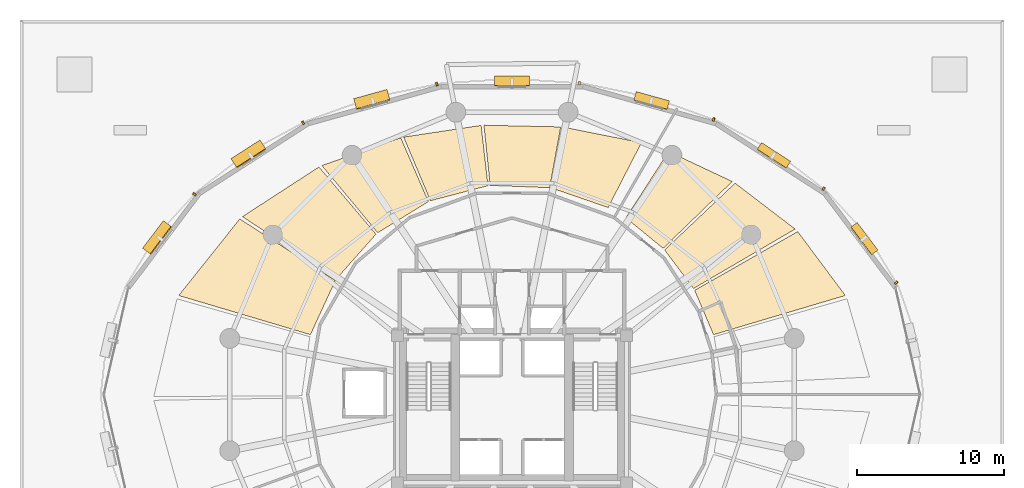
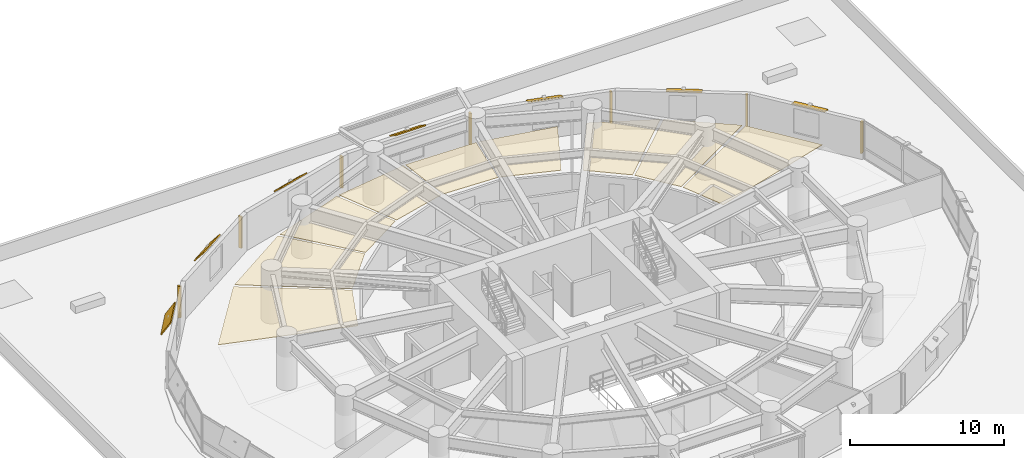
# One storey, part 15 of 15: 14 shading devices, 9 coverings.
"""IFC4 building model written with IfcOpenShell, lengths in metres."""

from ifc_helpers import new_model, si_unit, direction, frame, origin, origin_2d, place, context, subcontext, project, spatial, polyline, rectangle, outline, extrude, material, layer, layer_set, type_object, element, save


model = new_model("IFC4")

# Units and contexts
model_context = context("Model", 3, precision=1e-05, world=origin(), true_north=direction((0.0, 1.0)))
body_context = subcontext(model_context, "Body", "Model", "MODEL_VIEW")
ifc_project = project(units=[si_unit("LENGTHUNIT", "METRE"), si_unit("AREAUNIT", "SQUARE_METRE"), si_unit("VOLUMEUNIT", "CUBIC_METRE"), si_unit("PLANEANGLEUNIT", "RADIAN"), si_unit("MASSUNIT", "GRAM", prefix="KILO"), si_unit("THERMODYNAMICTEMPERATUREUNIT", "KELVIN"), si_unit("POWERUNIT", "WATT")], contexts=[model_context])

# Site, building, storey
site_placement = place(None, origin())
site = spatial("IfcSite", under=ifc_project, at=site_placement, CompositionType="ELEMENT")
building_placement = place(site_placement, origin())
building = spatial("IfcBuilding", under=site, at=building_placement, Name="Ocrelia Relay Tower", CompositionType="ELEMENT")
storey_placement = place(building_placement, frame((0.0, 0.0, 30.0)))
storey = spatial("IfcBuildingStorey", under=building, at=storey_placement, Name="L06", CompositionType="ELEMENT", Elevation=30.0)

# Coverings
ifc_material_1 = material(Name="Mineral-fiber acoustic ceiling tile", Category="gypsum")
ifc_layer_1 = layer(ifc_material_1, 0.0400390625, Name="Mineral-fiber acoustic ceiling tile")
ifc_layer_set_1 = layer_set([ifc_layer_1], Name="Mineral-fiber acoustic ceiling tile")
covering_type_1 = type_object("IfcCoveringType", Name="COV-CEIL-ACOUSTIC", PredefinedType="CEILING", material=ifc_layer_set_1)
covering_1_placement = place(storey_placement, frame((0.0, 0.0, 2.590087890625)))
element("IfcCovering", 1, at=covering_1_placement, inside=storey, type_object=covering_type_1, Name="L06 Operations Control Office Suspended Ceiling 2", PredefinedType="CEILING", context=body_context, shape_type="SweptSolid", body=[
    extrude(outline(polyline([(47.726806640625, 30.0791015625), (56.700927734375, 32.745849609375), (53.460205078125, 37.099853515625), (46.438720703125, 33.094970703125), (47.726806640625, 30.0791015625)])), origin(), (0.0, 0.0, 1.0), 0.039794921875),
])
covering_2_placement = place(storey_placement, frame((0.0, 0.0, 2.590087890625)))
element("IfcCovering", 2, at=covering_2_placement, inside=storey, type_object=covering_type_1, Name="L06 Operations Control Office Suspended Ceiling 3", PredefinedType="CEILING", context=body_context, shape_type="SweptSolid", body=[
    extrude(outline(polyline([(46.36376953125, 33.224853515625), (53.287109375, 37.2705078125), (49.196533203125, 40.395751953125), (44.39599609375, 35.84814453125), (46.36376953125, 33.224853515625)])), origin(), (0.0, 0.0, 1.0), 0.039794921875),
])
covering_3_placement = place(storey_placement, frame((0.0, 0.0, 2.590087890625)))
element("IfcCovering", 3, at=covering_3_placement, inside=storey, type_object=covering_type_1, Name="L06 Operations Control Office Suspended Ceiling 4", PredefinedType="CEILING", context=body_context, shape_type="SweptSolid", body=[
    extrude(outline(polyline([(44.292236328125, 35.95654296875), (49.001220703125, 40.51171875), (44.665283203125, 42.54931640625), (41.75732421875, 38.036865234375), (44.292236328125, 35.95654296875)])), origin(), (0.0, 0.0, 1.0), 0.039794921875),
])
ifc_material_2 = material(Name="Cleanroom metal-pan acoustic ceiling", Category="aluminium")
ifc_layer_2 = layer(ifc_material_2, 0.0400390625, Name="Cleanroom metal-pan acoustic ceiling")
ifc_layer_set_2 = layer_set([ifc_layer_2], Name="Cleanroom metal-pan acoustic ceiling")
covering_type_2 = type_object("IfcCoveringType", Name="COV-CEIL-CLEAN", PredefinedType="CEILING", material=ifc_layer_set_2)
covering_4_placement = place(storey_placement, frame((0.0, 0.0, 2.590087890625)))
element("IfcCovering", 4, at=covering_4_placement, inside=storey, type_object=covering_type_2, Name="L06 Colocation Data Hall A Suspended Ceiling 1", PredefinedType="CEILING", context=body_context, shape_type="SweptSolid", body=[
    extrude(outline(polyline([(40.545654296875, 38.736328125), (42.8173828125, 43.156494140625), (37.5146484375, 44.2080078125), (36.714111328125, 40.060546875), (40.545654296875, 38.736328125)])), origin(), (0.0, 0.0, 1.0), 0.039794921875),
])
covering_5_placement = place(storey_placement, frame((0.0, 0.0, 2.590087890625)))
element("IfcCovering", 5, at=covering_5_placement, inside=storey, type_object=covering_type_2, Name="L06 Colocation Data Hall A Suspended Ceiling 2", PredefinedType="CEILING", context=body_context, shape_type="SweptSolid", body=[
    extrude(outline(polyline([(36.566650390625, 40.088134765625), (37.32080078125, 44.228759765625), (32.088134765625, 44.343505859375), (32.515625, 40.242919921875), (36.566650390625, 40.088134765625)])), origin(), (0.0, 0.0, 1.0), 0.039794921875),
])
covering_6_placement = place(storey_placement, frame((0.0, 0.0, 2.590087890625)))
element("IfcCovering", 6, at=covering_6_placement, inside=storey, type_object=covering_type_2, Name="L06 Colocation Data Hall A Suspended Ceiling 3", PredefinedType="CEILING", context=body_context, shape_type="SweptSolid", body=[
    extrude(outline(polyline([(32.366455078125, 40.2265625), (31.895263671875, 44.331298828125), (26.61865234375, 43.537841796875), (28.445068359375, 39.19873046875), (32.366455078125, 40.2265625)])), origin(), (0.0, 0.0, 1.0), 0.039794921875),
])
covering_7_placement = place(storey_placement, frame((0.0, 0.0, 2.590087890625)))
element("IfcCovering", 7, at=covering_7_placement, inside=storey, type_object=covering_type_2, Name="L06 Colocation Data Hall A Suspended Ceiling 4", PredefinedType="CEILING", context=body_context, shape_type="SweptSolid", body=[
    extrude(outline(polyline([(28.30712890625, 39.139892578125), (26.42236328125, 43.490234375), (21.05224609375, 41.595703125), (24.852783203125, 37.017822265625), (28.30712890625, 39.139892578125)])), origin(), (0.0, 0.0, 1.0), 0.039794921875),
])
covering_8_placement = place(storey_placement, frame((0.0, 0.0, 2.590087890625)))
element("IfcCovering", 8, at=covering_8_placement, inside=storey, type_object=covering_type_2, Name="L06 Colocation Data Hall A Suspended Ceiling 5", PredefinedType="CEILING", context=body_context, shape_type="SweptSolid", body=[
    extrude(outline(polyline([(24.738037109375, 36.92138671875), (20.85400390625, 41.501220703125), (15.63916015625, 38.1181640625), (22.04833984375, 33.88818359375), (24.738037109375, 36.92138671875)])), origin(), (0.0, 0.0, 1.0), 0.039794921875),
])
covering_9_placement = place(storey_placement, frame((0.0, 0.0, 2.590087890625)))
element("IfcCovering", 9, at=covering_9_placement, inside=storey, type_object=covering_type_2, Name="L06 Colocation Data Hall A Suspended Ceiling 6", PredefinedType="CEILING", context=body_context, shape_type="SweptSolid", body=[
    extrude(outline(polyline([(21.966552734375, 33.762451171875), (15.45849609375, 37.960693359375), (11.299072265625, 32.745849609375), (20.273193359375, 30.0791015625), (21.966552734375, 33.762451171875)])), origin(), (0.0, 0.0, 1.0), 0.039794921875),
])

# Shading devices
ifc_material_3 = material(Name="Extruded oxide terracotta vertical baguette", Category="masonry")
shading_device_type_1 = type_object("IfcShadingDeviceType", Name="SH-TERR-BAGUETTE", PredefinedType="USERDEFINED", material=ifc_material_3)
for number, where, z_axis, x_axis, name in (
    (10, (60.162841796875, 33.614990234375, 0.25), (0.0, 0.0, 1.0), (-0.601809563303, 0.79863962431, 0.0), "L06 Oxide Terracotta Vertical Baguette 02"),
    (11, (55.218505859375, 40.0146484375, 0.25), (0.0, 0.0, 1.0), (-0.841161476755, 0.5407840327, 0.0), "L06 Oxide Terracotta Vertical Baguette 03"),
    (12, (47.730712890625, 44.732421875, 0.25), (0.0, 0.0, 1.0), (-0.963245444504, 0.268622809238, 0.0), "L06 Oxide Terracotta Vertical Baguette 04"),
    (13, (38.58740234375, 47.206298828125, 0.25), (0.0, 0.0, 1.0), (-1.0, 0.0, 0.0), "L06 Oxide Terracotta Vertical Baguette 05"),
    (14, (28.879638671875, 47.133544921875, 0.25), (0.0, 0.0, 1.0), (-0.963245444504, -0.268622809238, 0.0), "L06 Oxide Terracotta Vertical Baguette 06"),
    (15, (19.773681640625, 44.510009765625, 0.25), (0.0, 0.0, 1.0), (-0.841161476755, -0.5407840327, 0.0), "L06 Oxide Terracotta Vertical Baguette 07"),
    (16, (12.3759765625, 39.63818359375, 0.25), (0.0, 0.0, 1.0), (-0.601809563303, -0.79863962431, 0.0), "L06 Oxide Terracotta Vertical Baguette 08"),
):
    element("IfcShadingDevice", number, at=place(storey_placement, frame(where, z_axis=z_axis, x_axis=x_axis)), inside=storey, type_object=shading_device_type_1, Name=name, ObjectType="BAGUETTE", PredefinedType="USERDEFINED", context=body_context, shape_type="SweptSolid", body=[
        extrude(rectangle(XDim=0.139892578125, YDim=0.239990234375, at=origin_2d()), origin(), (0.0, 0.0, 1.0), 2.5),
    ])
ifc_material_4 = material(Name="Extruded oxide terracotta fin", Category="masonry")
ifc_layer_3 = layer(ifc_material_4, 0.080078125, Name="Extruded oxide terracotta fin")
ifc_layer_set_3 = layer_set([ifc_layer_3], Name="Extruded oxide terracotta fin")
shading_device_type_2 = type_object("IfcShadingDeviceType", Name="SH-VISOR-FIN-DEEP", PredefinedType="USERDEFINED", material=ifc_layer_set_3)
shading_device_1_placement = place(storey_placement, frame((9.8603515625, 36.669677734375, 2.81884765625), z_axis=(-0.675729104954, 0.50919116105, 0.533023956522), x_axis=(-0.601809563303, -0.79863962431, 0.0)))
element("IfcShadingDevice", 17, at=shading_device_1_placement, inside=storey, type_object=shading_device_type_2, Name="L06 Canted Terracotta Sun-Visor Fin 08", ObjectType="FIN", PredefinedType="USERDEFINED", context=body_context, shape_type="SweptSolid", body=[
    extrude(rectangle(XDim=2.35009765625, YDim=1.212890625, at=origin_2d()), origin(), (0.0, 0.0, 1.0), 0.080078125),
])
ifc_layer_4 = layer(ifc_material_4, 0.080078125, Name="Extruded oxide terracotta fin")
ifc_layer_set_4 = layer_set([ifc_layer_4], Name="Extruded oxide terracotta fin")
shading_device_type_3 = type_object("IfcShadingDeviceType", Name="SH-VISOR-FIN-MED", PredefinedType="USERDEFINED", material=ifc_layer_set_4)
shading_device_2_placement = place(storey_placement, frame((34.0, 47.333740234375, 2.80615234375), z_axis=(0.0, 0.527845511945, 0.849340400263), x_axis=(-1.0, 0.0, 0.0)))
element("IfcShadingDevice", 18, at=shading_device_2_placement, inside=storey, type_object=shading_device_type_3, Name="L06 Canted Terracotta Sun-Visor Fin 05", ObjectType="FIN", PredefinedType="USERDEFINED", context=body_context, shape_type="SweptSolid", body=[
    extrude(rectangle(XDim=2.35009765625, YDim=0.781005859375, at=origin_2d()), origin(), (0.0, 0.0, 1.0), 0.080078125),
])
shading_device_3_placement = place(storey_placement, frame((24.46044921875, 46.071044921875, 2.810302734375), z_axis=(-0.180335252405, 0.646658081107, 0.741156206801), x_axis=(-0.963245444504, -0.268622809238, 0.0)))
element("IfcShadingDevice", 19, at=shading_device_3_placement, inside=storey, type_object=shading_device_type_3, Name="L06 Canted Terracotta Sun-Visor Fin 06", ObjectType="FIN", PredefinedType="USERDEFINED", context=body_context, shape_type="SweptSolid", body=[
    extrude(rectangle(XDim=2.35009765625, YDim=0.952880859375, at=origin_2d()), origin(), (0.0, 0.0, 1.0), 0.080078125),
])
shading_device_4_placement = place(storey_placement, frame((16.072509765625, 42.35888671875, 2.81494140625), z_axis=(-0.421571785357, 0.65573301741, 0.626331732926), x_axis=(-0.841161476755, -0.5407840327, 0.0)))
element("IfcShadingDevice", 20, at=shading_device_4_placement, inside=storey, type_object=shading_device_type_3, Name="L06 Canted Terracotta Sun-Visor Fin 07", ObjectType="FIN", PredefinedType="USERDEFINED", context=body_context, shape_type="SweptSolid", body=[
    extrude(rectangle(XDim=2.35009765625, YDim=1.10400390625, at=origin_2d()), origin(), (0.0, 0.0, 1.0), 0.080078125),
])
ifc_layer_5 = layer(ifc_material_4, 0.080078125, Name="Extruded oxide terracotta fin")
ifc_layer_set_5 = layer_set([ifc_layer_5], Name="Extruded oxide terracotta fin")
shading_device_type_4 = type_object("IfcShadingDeviceType", Name="SH-VISOR-FIN-SHAL", PredefinedType="USERDEFINED", material=ifc_layer_set_5)
shading_device_5_placement = place(storey_placement, frame((57.987060546875, 36.60791015625, 2.802001953125), z_axis=(0.246793216293, 0.185969382438, 0.951056516295), x_axis=(-0.601809563303, 0.79863962431, 0.0)))
element("IfcShadingDevice", 21, at=shading_device_5_placement, inside=storey, type_object=shading_device_type_4, Name="L06 Canted Terracotta Sun-Visor Fin 02", ObjectType="FIN", PredefinedType="USERDEFINED", context=body_context, shape_type="SweptSolid", body=[
    extrude(rectangle(XDim=2.35009765625, YDim=0.550048828125, at=origin_2d()), origin(), (0.0, 0.0, 1.0), 0.080078125),
])
shading_device_6_placement = place(storey_placement, frame((51.826416015625, 42.27294921875, 2.80224609375), z_axis=(0.176954214981, 0.275243091126, 0.944948912158), x_axis=(-0.841161476755, 0.5407840327, 0.0)))
element("IfcShadingDevice", 22, at=shading_device_6_placement, inside=storey, type_object=shading_device_type_4, Name="L06 Canted Terracotta Sun-Visor Fin 03", ObjectType="FIN", PredefinedType="USERDEFINED", context=body_context, shape_type="SweptSolid", body=[
    extrude(rectangle(XDim=2.35009765625, YDim=0.568115234375, at=origin_2d()), origin(), (0.0, 0.0, 1.0), 0.080078125),
])
shading_device_7_placement = place(storey_placement, frame((43.505126953125, 46.0029296875, 2.803466796875), z_axis=(0.107156088453, 0.384247392638, 0.916990465576), x_axis=(-0.963245444504, 0.268622809238, 0.0)))
element("IfcShadingDevice", 23, at=shading_device_7_placement, inside=storey, type_object=shading_device_type_4, Name="L06 Canted Terracotta Sun-Visor Fin 04", ObjectType="FIN", PredefinedType="USERDEFINED", context=body_context, shape_type="SweptSolid", body=[
    extrude(rectangle(XDim=2.35009765625, YDim=0.64208984375, at=origin_2d()), origin(), (0.0, 0.0, 1.0), 0.080078125),
])

save(model, "model.ifc")
